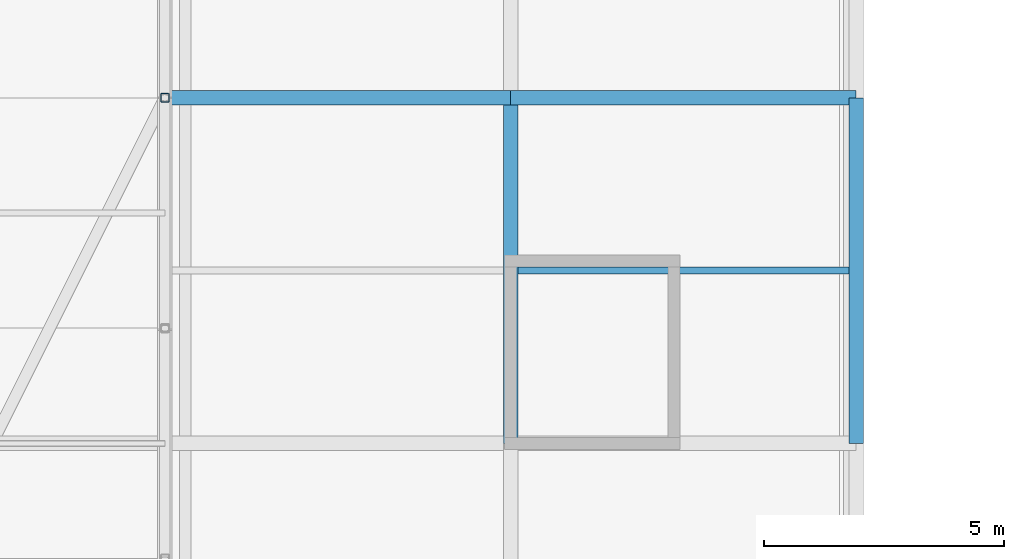
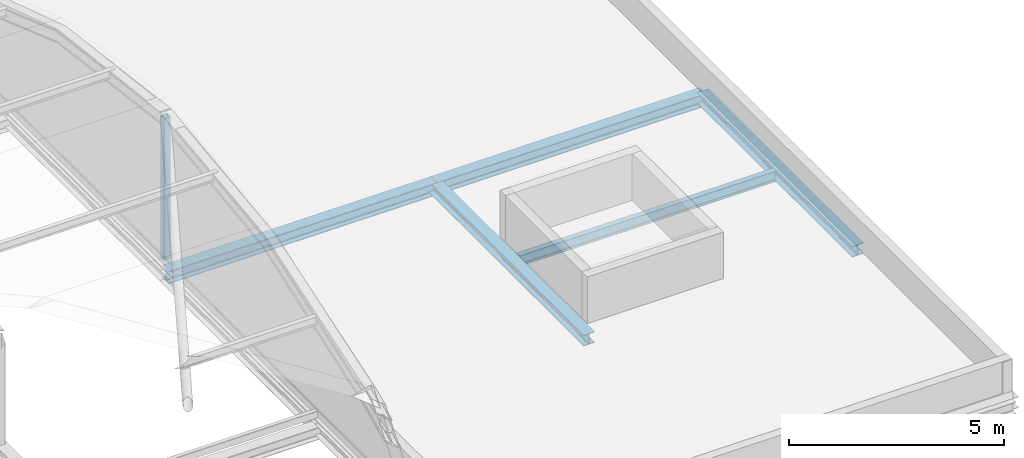
# One storey, part 28 of 103: 5 beams, 1 member.
"""IFC4 building model written with IfcOpenShell, lengths in metres."""

from ifc_helpers import new_model, si_unit, direction, frame, origin, origin_2d, place, context, subcontext, project, spatial, hollow_rectangle, i_section, extrude, material, material_profile, profile_set, type_object, element, save


model = new_model("IFC4")

# Units and contexts
model_context = context("Model", 3, precision=1e-05, world=origin(), true_north=direction((0.0, 1.0)))
body_context = subcontext(model_context, "Body", "Model", "MODEL_VIEW")
ifc_project = project(units=[si_unit("LENGTHUNIT", "METRE"), si_unit("AREAUNIT", "SQUARE_METRE"), si_unit("VOLUMEUNIT", "CUBIC_METRE"), si_unit("PLANEANGLEUNIT", "RADIAN"), si_unit("MASSUNIT", "GRAM", prefix="KILO")], contexts=[model_context])

# Site, building, storey
site_placement = place(None, origin())
site = spatial("IfcSite", under=ifc_project, at=site_placement, CompositionType="ELEMENT")
building_placement = place(site_placement, origin())
building = spatial("IfcBuilding", under=site, at=building_placement, Name="Zlatovets Crest Museum", CompositionType="ELEMENT")
storey_placement = place(building_placement, frame((0.0, 0.0, 12.89990234375)))
storey = spatial("IfcBuildingStorey", under=building, at=storey_placement, Name="L03", CompositionType="ELEMENT", Elevation=12.89990234375)

# Beams
ifc_material = material(Name="Structural steel S355J2", Category="steel")
ifc_material_profile_1 = material_profile(ifc_material, i_section(OverallWidth=0.300048828125, OverallDepth=0.35009765625, WebThickness=0.010009765625, FlangeThickness=0.017578125, FilletRadius=0.027099609375, at=origin_2d()), Name="HEA 360")
ifc_profile_set_1 = profile_set([ifc_material_profile_1], Name="Structural steel S355J2")
beam_type_1 = type_object("IfcBeamType", Name="Beam_B-03", PredefinedType="BEAM", material=ifc_profile_set_1)
for number, where, z_axis, x_axis, name in (
    (1, (28.800048828125, 14.39990234375, -0.39501953125), (1.0, 0.0, 0.0), (0.0, 1.0, 0.0), "V3 L03 Primary Girder B-03"),
    (2, (36.0, 14.39990234375, -0.39501953125), (1.0, 0.0, 0.0), (0.0, 1.0, 0.0), "V3 L03 Primary Girder B-03"),
):
    element("IfcBeam", number, at=place(storey_placement, frame(where, z_axis=z_axis, x_axis=x_axis)), inside=storey, type_object=beam_type_1, Name=name, PredefinedType="BEAM", context=body_context, shape_type="SweptSolid", body=[
        extrude(i_section(OverallWidth=0.300048828125, OverallDepth=0.35009765625, WebThickness=0.010009765625, FlangeThickness=0.017578125, FilletRadius=0.027099609375, at=origin_2d()), origin(), (0.0, 0.0, 1.0), 7.199951171875),
    ])
ifc_material_profile_2 = material_profile(ifc_material, i_section(OverallWidth=0.300048828125, OverallDepth=0.31005859375, WebThickness=0.009033203125, FlangeThickness=0.015380859375, FilletRadius=0.027099609375, at=origin_2d()), Name="HEA 320")
ifc_profile_set_2 = profile_set([ifc_material_profile_2], Name="Structural steel S355J2")
beam_type_2 = type_object("IfcBeamType", Name="Beam_B-04", PredefinedType="BEAM", material=ifc_profile_set_2)
for number, where, z_axis, x_axis, name in (
    (3, (36.0, 7.199951171875, -0.375), (0.0, 1.0, 0.0), (-1.0, 0.0, 0.0), "V3 L03 Grid Beam B-04"),
    (4, (43.199951171875, 7.199951171875, -0.375), (0.0, 1.0, 0.0), (-1.0, 0.0, 0.0), "V3 L03 Grid Beam B-04"),
):
    element("IfcBeam", number, at=place(storey_placement, frame(where, z_axis=z_axis, x_axis=x_axis)), inside=storey, type_object=beam_type_2, Name=name, PredefinedType="BEAM", context=body_context, shape_type="SweptSolid", body=[
        extrude(i_section(OverallWidth=0.300048828125, OverallDepth=0.31005859375, WebThickness=0.009033203125, FlangeThickness=0.015380859375, FilletRadius=0.027099609375, at=origin_2d()), origin(), (0.0, 0.0, 1.0), 7.199951171875),
    ])
ifc_material_profile_3 = material_profile(ifc_material, i_section(OverallWidth=0.14990234375, OverallDepth=0.300048828125, WebThickness=0.007080078125, FlangeThickness=0.0107421875, FilletRadius=0.014892578125, at=origin_2d()), Name="IPE 300")
ifc_profile_set_3 = profile_set([ifc_material_profile_3], Name="Structural steel S355J2")
beam_type_3 = type_object("IfcBeamType", Name="Beam_J-02", PredefinedType="JOIST", material=ifc_profile_set_3)
beam_placement = place(storey_placement, frame((36.14990234375, 10.800048828125, -0.369873046875), z_axis=(1.0, 0.0, 0.0), x_axis=(0.0, 1.0, 0.0)))
element("IfcBeam", 5, at=beam_placement, inside=storey, type_object=beam_type_3, Name="V3 L03 Composite Joist J-02", PredefinedType="JOIST", context=body_context, shape_type="SweptSolid", body=[
    extrude(i_section(OverallWidth=0.14990234375, OverallDepth=0.300048828125, WebThickness=0.007080078125, FlangeThickness=0.0107421875, FilletRadius=0.014892578125, at=origin_2d()), origin(), (0.0, 0.0, 1.0), 6.900146484375),
])

# Member
ifc_material_profile_4 = material_profile(ifc_material, hollow_rectangle(XDim=0.179931640625, YDim=0.179931640625, WallThickness=0.010009765625, InnerFilletRadius=0.010009765625, OuterFilletRadius=0.02001953125, at=origin_2d()), Name="SHS 180x180x10.0")
ifc_profile_set_4 = profile_set([ifc_material_profile_4], Name="Structural steel S355J2")
member_type = type_object("IfcMemberType", Name="Member_TM-04", PredefinedType="STRUT", material=ifc_profile_set_4)
member_placement = place(storey_placement, frame((28.800048828125, 14.39990234375, 0.080078125), z_axis=(0.0, 0.0, 1.0), x_axis=(1.0, 0.0, 0.0)))
element("IfcMember", 6, at=member_placement, inside=storey, type_object=member_type, Name="V3 Barrel Vault Web Strut", PredefinedType="STRUT", context=body_context, shape_type="SweptSolid", body=[
    extrude(hollow_rectangle(XDim=0.179931640625, YDim=0.179931640625, WallThickness=0.010009765625, InnerFilletRadius=0.010009765625, OuterFilletRadius=0.02001953125, at=origin_2d()), origin(), (0.0, 0.0, 1.0), 4.02001953125),
])

save(model, "model.ifc")
